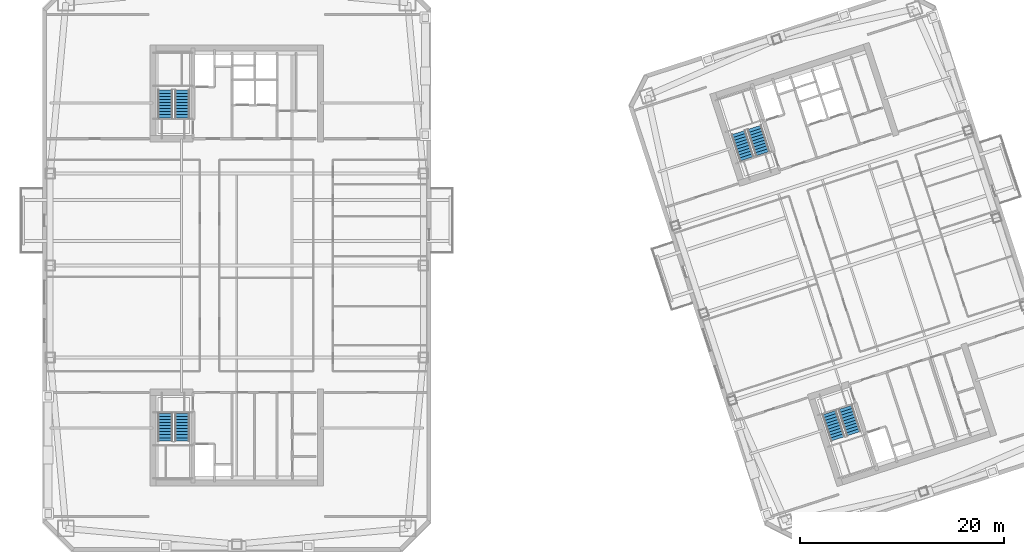
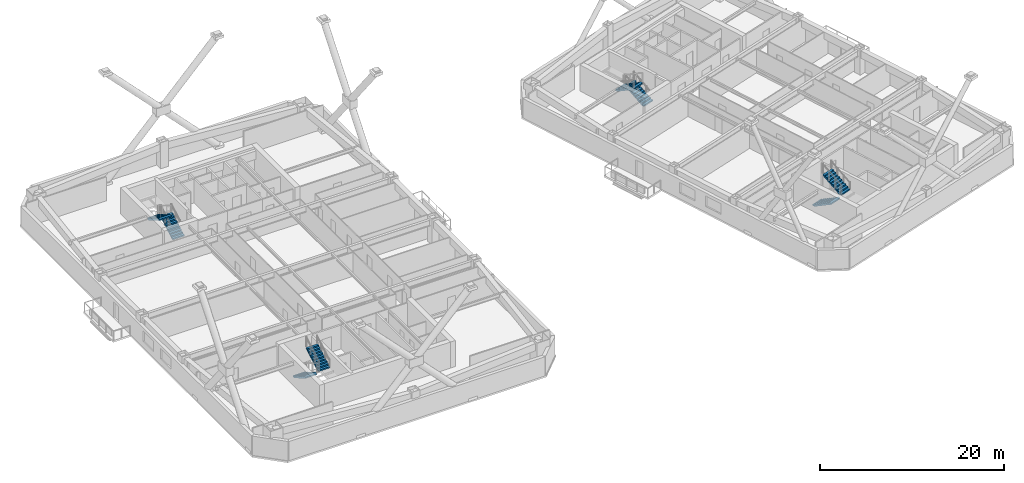
# One storey, part 12 of 17: 8 stair flights, 4 elements without a shape of their own.
"""IFC4 building model written with IfcOpenShell, lengths in metres."""

from ifc_helpers import new_model, si_unit, direction, frame, origin, place, context, subcontext, project, spatial, polyline, outline, extrude, material, type_object, element, aggregate, save


model = new_model("IFC4")

# Units and contexts
model_context = context("Model", 3, precision=1e-05, world=origin(), true_north=direction((0.0, 1.0)))
body_context = subcontext(model_context, "Body", "Model", "MODEL_VIEW")
ifc_project = project(units=[si_unit("LENGTHUNIT", "METRE"), si_unit("AREAUNIT", "SQUARE_METRE"), si_unit("VOLUMEUNIT", "CUBIC_METRE"), si_unit("PLANEANGLEUNIT", "RADIAN"), si_unit("MASSUNIT", "GRAM", prefix="KILO")], contexts=[model_context])

# Site, building, storey
site_placement = place(None, origin())
site = spatial("IfcSite", under=ifc_project, at=site_placement, CompositionType="ELEMENT")
building_placement = place(site_placement, origin())
building = spatial("IfcBuilding", under=site, at=building_placement, Name="Qiaolan Cultural Towers", CompositionType="ELEMENT")
storey_placement = place(building_placement, frame((0.0, 0.0, 134.550048828125)))
storey = spatial("IfcBuildingStorey", under=building, at=storey_placement, Name="L35", CompositionType="ELEMENT", Elevation=134.550048828125)

# Stair, stair flights
ifc_material_1 = material(Name="Concrete C45", Category="concrete")
stair_type = type_object("IfcStairType", Name="STR-CORE-1500", PredefinedType="HALF_TURN_STAIR", material=ifc_material_1)
stair_1_placement = place(storey_placement, origin())
stair_1 = element("IfcStair", 1, at=stair_1_placement, inside=storey, type_object=stair_type, Name="L35 Smokeproof Exit Stair ST-W1", PredefinedType="HALF_TURN_STAIR")
ifc_material_2 = material(Name="Concrete C45", Category="concrete")
stair_flight_type = type_object("IfcStairFlightType", Name="STR-CORE-1500-FL", PredefinedType="STRAIGHT", material=ifc_material_2)
stair_flight_1_placement = place(storey_placement, frame((23.02001953125, 19.550048828125, 0.0), z_axis=(0.0, 0.0, 1.0), x_axis=(0.0, -1.0, 0.0)))
stair_flight_1 = element("IfcStairFlight", 2, at=stair_flight_1_placement, type_object=stair_flight_type, Name="ST-W1 flight 1", NumberOfRisers=10, NumberOfTreads=9, PredefinedType="STRAIGHT", RiserHeight=0.1725, TreadLength=0.3, context=body_context, shape_type="SweptSolid", body=[
    extrude(outline(polyline([(0.0, 0.0), (0.0, 0.172607421875), (0.300048828125, 0.172607421875), (0.300048828125, 0.344970703125), (0.60009765625, 0.344970703125), (0.60009765625, 0.517578125), (0.89990234375, 0.517578125), (0.89990234375, 0.68994140625), (1.199951171875, 0.68994140625), (1.199951171875, 0.862548828125), (1.5, 0.862548828125), (1.5, 1.034912109375), (1.800048828125, 1.034912109375), (1.800048828125, 1.20751953125), (2.10009765625, 1.20751953125), (2.10009765625, 1.3798828125), (2.39990234375, 1.3798828125), (2.39990234375, 1.552490234375), (2.699951171875, 1.552490234375), (2.699951171875, 1.72509765625), (2.699951171875, 1.379638671875), (0.30078125, 0.0), (0.0, 0.0)])), frame((0.0, 0.719970703125, 0.0), z_axis=(0.0, -1.0, 0.0), x_axis=(1.0, 0.0, 0.0)), (0.0, 0.0, 1.0), 1.43994140625),
])
stair_flight_2_placement = place(storey_placement, frame((24.659912109375, 16.85009765625, 1.724853515625), z_axis=(0.0, 0.0, 1.0), x_axis=(0.0, 1.0, 0.0)))
stair_flight_2 = element("IfcStairFlight", 3, at=stair_flight_2_placement, type_object=stair_flight_type, Name="ST-W1 flight 2", NumberOfRisers=10, NumberOfTreads=9, PredefinedType="STRAIGHT", RiserHeight=0.1725, TreadLength=0.3, context=body_context, shape_type="SweptSolid", body=[
    extrude(outline(polyline([(0.0, 0.0), (0.0, 0.172607421875), (0.300048828125, 0.172607421875), (0.300048828125, 0.344970703125), (0.60009765625, 0.344970703125), (0.60009765625, 0.517578125), (0.89990234375, 0.517578125), (0.89990234375, 0.68994140625), (1.199951171875, 0.68994140625), (1.199951171875, 0.862548828125), (1.5, 0.862548828125), (1.5, 1.034912109375), (1.800048828125, 1.034912109375), (1.800048828125, 1.20751953125), (2.10009765625, 1.20751953125), (2.10009765625, 1.3798828125), (2.39990234375, 1.3798828125), (2.39990234375, 1.552490234375), (2.699951171875, 1.552490234375), (2.699951171875, 1.72509765625), (2.699951171875, 1.379638671875), (0.30078125, 0.0), (0.0, 0.0)])), frame((0.0, 0.719970703125, 0.0), z_axis=(0.0, -1.0, 0.0), x_axis=(1.0, 0.0, 0.0)), (0.0, 0.0, 1.0), 1.43994140625),
])
aggregate(stair_1, [stair_flight_1, stair_flight_2])

stair_2_placement = place(storey_placement, origin())
stair_2 = element("IfcStair", 4, at=stair_2_placement, inside=storey, type_object=stair_type, Name="L35 Smokeproof Exit Stair ST-W2", PredefinedType="HALF_TURN_STAIR")
stair_flight_3_placement = place(storey_placement, frame((24.659912109375, 48.449951171875, 0.0), z_axis=(0.0, 0.0, 1.0), x_axis=(0.0, 1.0, 0.0)))
stair_flight_3 = element("IfcStairFlight", 5, at=stair_flight_3_placement, type_object=stair_flight_type, Name="ST-W2 flight 1", NumberOfRisers=10, NumberOfTreads=9, PredefinedType="STRAIGHT", RiserHeight=0.1725, TreadLength=0.3, context=body_context, shape_type="SweptSolid", body=[
    extrude(outline(polyline([(0.0, 0.0), (0.0, 0.172607421875), (0.300048828125, 0.172607421875), (0.300048828125, 0.344970703125), (0.60009765625, 0.344970703125), (0.60009765625, 0.517578125), (0.89990234375, 0.517578125), (0.89990234375, 0.68994140625), (1.199951171875, 0.68994140625), (1.199951171875, 0.862548828125), (1.5, 0.862548828125), (1.5, 1.034912109375), (1.800048828125, 1.034912109375), (1.800048828125, 1.20751953125), (2.10009765625, 1.20751953125), (2.10009765625, 1.3798828125), (2.39990234375, 1.3798828125), (2.39990234375, 1.552490234375), (2.699951171875, 1.552490234375), (2.699951171875, 1.72509765625), (2.699951171875, 1.379638671875), (0.30078125, 0.0), (0.0, 0.0)])), frame((0.0, 0.719970703125, 0.0), z_axis=(0.0, -1.0, 0.0), x_axis=(1.0, 0.0, 0.0)), (0.0, 0.0, 1.0), 1.43994140625),
])
stair_flight_4_placement = place(storey_placement, frame((23.02001953125, 51.14990234375, 1.724853515625), z_axis=(0.0, 0.0, 1.0), x_axis=(0.0, -1.0, 0.0)))
stair_flight_4 = element("IfcStairFlight", 6, at=stair_flight_4_placement, type_object=stair_flight_type, Name="ST-W2 flight 2", NumberOfRisers=10, NumberOfTreads=9, PredefinedType="STRAIGHT", RiserHeight=0.1725, TreadLength=0.3, context=body_context, shape_type="SweptSolid", body=[
    extrude(outline(polyline([(0.0, 0.0), (0.0, 0.172607421875), (0.300048828125, 0.172607421875), (0.300048828125, 0.344970703125), (0.60009765625, 0.344970703125), (0.60009765625, 0.517578125), (0.89990234375, 0.517578125), (0.89990234375, 0.68994140625), (1.199951171875, 0.68994140625), (1.199951171875, 0.862548828125), (1.5, 0.862548828125), (1.5, 1.034912109375), (1.800048828125, 1.034912109375), (1.800048828125, 1.20751953125), (2.10009765625, 1.20751953125), (2.10009765625, 1.3798828125), (2.39990234375, 1.3798828125), (2.39990234375, 1.552490234375), (2.699951171875, 1.552490234375), (2.699951171875, 1.72509765625), (2.699951171875, 1.379638671875), (0.30078125, 0.0), (0.0, 0.0)])), frame((0.0, 0.719970703125, 0.0), z_axis=(0.0, -1.0, 0.0), x_axis=(1.0, 0.0, 0.0)), (0.0, 0.0, 1.0), 1.43994140625),
])
aggregate(stair_2, [stair_flight_3, stair_flight_4])

stair_3_placement = place(storey_placement, origin())
stair_3 = element("IfcStair", 7, at=stair_3_placement, inside=storey, type_object=stair_type, Name="L35 Smokeproof Exit Stair ST-E1", PredefinedType="HALF_TURN_STAIR")
stair_flight_5_placement = place(storey_placement, frame((87.96484375, 19.6171875, 0.0), z_axis=(0.0, 0.0, 1.0), x_axis=(0.309016994375, -0.951056516295, 0.0)))
stair_flight_5 = element("IfcStairFlight", 8, at=stair_flight_5_placement, type_object=stair_flight_type, Name="ST-E1 flight 1", NumberOfRisers=10, NumberOfTreads=9, PredefinedType="STRAIGHT", RiserHeight=0.1725, TreadLength=0.3, context=body_context, shape_type="SweptSolid", body=[
    extrude(outline(polyline([(0.0, 0.0), (0.0, 0.172607421875), (0.300048828125, 0.172607421875), (0.300048828125, 0.344970703125), (0.60009765625, 0.344970703125), (0.60009765625, 0.517578125), (0.89990234375, 0.517578125), (0.89990234375, 0.68994140625), (1.199951171875, 0.68994140625), (1.199951171875, 0.862548828125), (1.5, 0.862548828125), (1.5, 1.034912109375), (1.800048828125, 1.034912109375), (1.800048828125, 1.20751953125), (2.10009765625, 1.20751953125), (2.10009765625, 1.3798828125), (2.39990234375, 1.3798828125), (2.39990234375, 1.552490234375), (2.699951171875, 1.552490234375), (2.699951171875, 1.72509765625), (2.699951171875, 1.379638671875), (0.30078125, 0.0), (0.0, 0.0)])), frame((0.0, 0.719970703125, 0.0), z_axis=(0.0, -1.0, 0.0), x_axis=(1.0, 0.0, 0.0)), (0.0, 0.0, 1.0), 1.43994140625),
])
stair_flight_6_placement = place(storey_placement, frame((90.359130859375, 17.55615234375, 1.724853515625), z_axis=(0.0, 0.0, 1.0), x_axis=(-0.309016994375, 0.951056516295, 0.0)))
stair_flight_6 = element("IfcStairFlight", 9, at=stair_flight_6_placement, type_object=stair_flight_type, Name="ST-E1 flight 2", NumberOfRisers=10, NumberOfTreads=9, PredefinedType="STRAIGHT", RiserHeight=0.1725, TreadLength=0.3, context=body_context, shape_type="SweptSolid", body=[
    extrude(outline(polyline([(0.0, 0.0), (0.0, 0.172607421875), (0.300048828125, 0.172607421875), (0.300048828125, 0.344970703125), (0.60009765625, 0.344970703125), (0.60009765625, 0.517578125), (0.89990234375, 0.517578125), (0.89990234375, 0.68994140625), (1.199951171875, 0.68994140625), (1.199951171875, 0.862548828125), (1.5, 0.862548828125), (1.5, 1.034912109375), (1.800048828125, 1.034912109375), (1.800048828125, 1.20751953125), (2.10009765625, 1.20751953125), (2.10009765625, 1.3798828125), (2.39990234375, 1.3798828125), (2.39990234375, 1.552490234375), (2.699951171875, 1.552490234375), (2.699951171875, 1.72509765625), (2.699951171875, 1.379638671875), (0.30078125, 0.0), (0.0, 0.0)])), frame((0.0, 0.719970703125, 0.0), z_axis=(0.0, -1.0, 0.0), x_axis=(1.0, 0.0, 0.0)), (0.0, 0.0, 1.0), 1.43994140625),
])
aggregate(stair_3, [stair_flight_5, stair_flight_6])

stair_4_placement = place(storey_placement, origin())
stair_4 = element("IfcStair", 10, at=stair_4_placement, inside=storey, type_object=stair_type, Name="L35 Smokeproof Exit Stair ST-E2", PredefinedType="HALF_TURN_STAIR")
stair_flight_7_placement = place(storey_placement, frame((81.459228515625, 44.946533203125, 0.0), z_axis=(0.0, 0.0, 1.0), x_axis=(-0.309016994375, 0.951056516295, 0.0)))
stair_flight_7 = element("IfcStairFlight", 11, at=stair_flight_7_placement, type_object=stair_flight_type, Name="ST-E2 flight 1", NumberOfRisers=10, NumberOfTreads=9, PredefinedType="STRAIGHT", RiserHeight=0.1725, TreadLength=0.3, context=body_context, shape_type="SweptSolid", body=[
    extrude(outline(polyline([(0.0, 0.0), (0.0, 0.172607421875), (0.300048828125, 0.172607421875), (0.300048828125, 0.344970703125), (0.60009765625, 0.344970703125), (0.60009765625, 0.517578125), (0.89990234375, 0.517578125), (0.89990234375, 0.68994140625), (1.199951171875, 0.68994140625), (1.199951171875, 0.862548828125), (1.5, 0.862548828125), (1.5, 1.034912109375), (1.800048828125, 1.034912109375), (1.800048828125, 1.20751953125), (2.10009765625, 1.20751953125), (2.10009765625, 1.3798828125), (2.39990234375, 1.3798828125), (2.39990234375, 1.552490234375), (2.699951171875, 1.552490234375), (2.699951171875, 1.72509765625), (2.699951171875, 1.379638671875), (0.30078125, 0.0), (0.0, 0.0)])), frame((0.0, 0.719970703125, 0.0), z_axis=(0.0, -1.0, 0.0), x_axis=(1.0, 0.0, 0.0)), (0.0, 0.0, 1.0), 1.43994140625),
])
stair_flight_8_placement = place(storey_placement, frame((79.065185546875, 47.007568359375, 1.724853515625), z_axis=(0.0, 0.0, 1.0), x_axis=(0.309016994375, -0.951056516295, 0.0)))
stair_flight_8 = element("IfcStairFlight", 12, at=stair_flight_8_placement, type_object=stair_flight_type, Name="ST-E2 flight 2", NumberOfRisers=10, NumberOfTreads=9, PredefinedType="STRAIGHT", RiserHeight=0.1725, TreadLength=0.3, context=body_context, shape_type="SweptSolid", body=[
    extrude(outline(polyline([(0.0, 0.0), (0.0, 0.172607421875), (0.300048828125, 0.172607421875), (0.300048828125, 0.344970703125), (0.60009765625, 0.344970703125), (0.60009765625, 0.517578125), (0.89990234375, 0.517578125), (0.89990234375, 0.68994140625), (1.199951171875, 0.68994140625), (1.199951171875, 0.862548828125), (1.5, 0.862548828125), (1.5, 1.034912109375), (1.800048828125, 1.034912109375), (1.800048828125, 1.20751953125), (2.10009765625, 1.20751953125), (2.10009765625, 1.3798828125), (2.39990234375, 1.3798828125), (2.39990234375, 1.552490234375), (2.699951171875, 1.552490234375), (2.699951171875, 1.72509765625), (2.699951171875, 1.379638671875), (0.30078125, 0.0), (0.0, 0.0)])), frame((0.0, 0.719970703125, 0.0), z_axis=(0.0, -1.0, 0.0), x_axis=(1.0, 0.0, 0.0)), (0.0, 0.0, 1.0), 1.43994140625),
])
aggregate(stair_4, [stair_flight_7, stair_flight_8])

save(model, "model.ifc")
